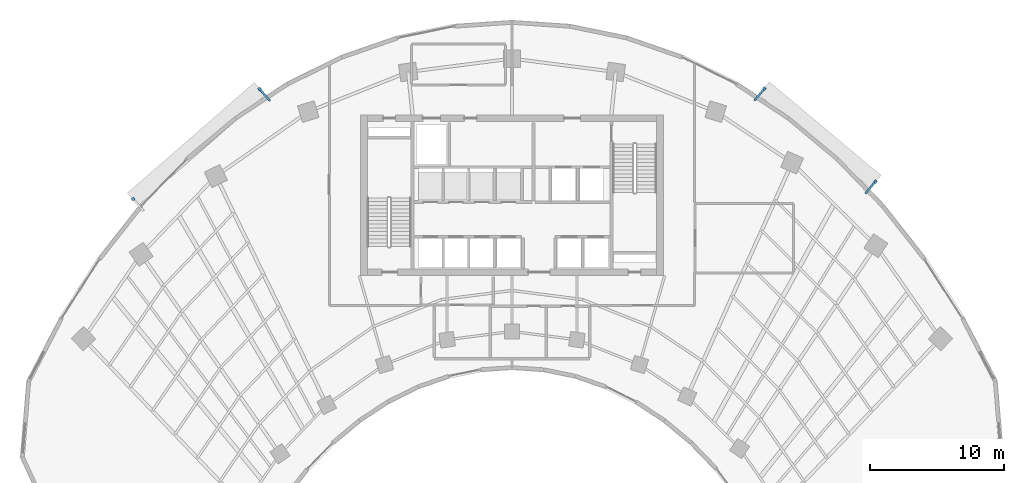
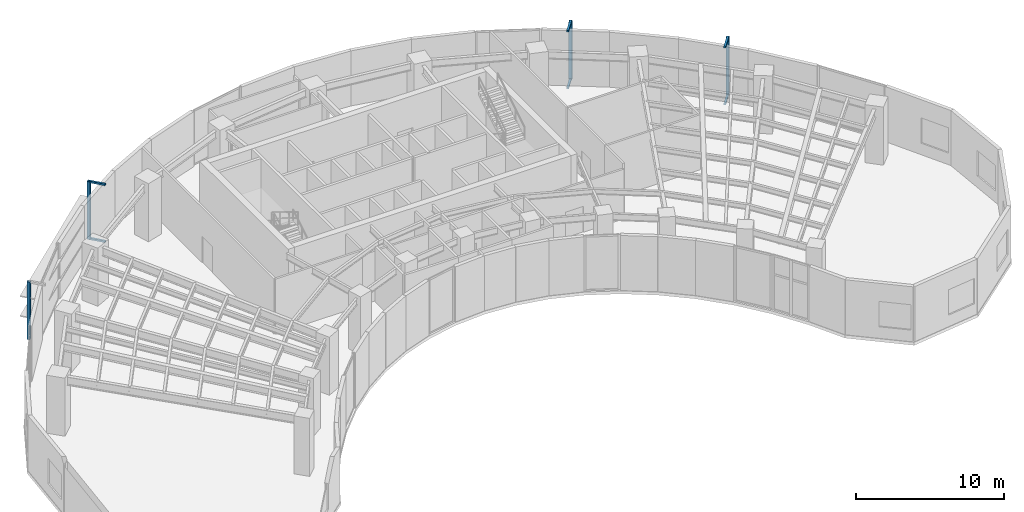
# One storey, part 12 of 15: 10 discrete accessories.
"""IFC4 building model written with IfcOpenShell, lengths in metres."""

from ifc_helpers import new_model, si_unit, direction, frame, origin, origin_2d, place, context, subcontext, project, spatial, rectangle, extrude, source, transform, mapped, material, type_object, type_shapes, element, save


model = new_model("IFC4")

# Units and contexts
model_context = context("Model", 3, precision=1e-05, world=origin(), true_north=direction((0.0, 1.0)))
body_context = subcontext(model_context, "Body", "Model", "MODEL_VIEW")
ifc_project = project(units=[si_unit("LENGTHUNIT", "METRE"), si_unit("AREAUNIT", "SQUARE_METRE"), si_unit("VOLUMEUNIT", "CUBIC_METRE"), si_unit("PLANEANGLEUNIT", "RADIAN"), si_unit("MASSUNIT", "GRAM", prefix="KILO")], contexts=[model_context])

# Site, building, storey
site_placement = place(None, origin())
site = spatial("IfcSite", under=ifc_project, at=site_placement, CompositionType="ELEMENT")
building_placement = place(site_placement, origin())
building = spatial("IfcBuilding", under=site, at=building_placement, Name="Breltana Convention Tower", CompositionType="ELEMENT")
storey_placement = place(building_placement, frame((0.0, 0.0, 91.199951171875)))
storey = spatial("IfcBuildingStorey", under=building, at=storey_placement, Name="L21", CompositionType="ELEMENT", Elevation=91.199951171875)

# Discrete accessories
ifc_material = material(Name="Steel S355", Category="steel")
discrete_accessory_type_1 = type_object("IfcDiscreteAccessoryType", Name="ACC-DSF-BRACKET-150", PredefinedType="BRACKET", material=ifc_material)
shared_shape_1 = source(origin(), body_context, "Body", "SweptSolid", [
    extrude(rectangle(XDim=1.239990234375, YDim=0.14990234375, at=origin_2d()), origin(), (0.0, 0.0, 1.0), 0.139892578125),
])
type_shapes(discrete_accessory_type_1, [shared_shape_1])
for number, where, z_axis, x_axis, name in (
    (1, (29.520751953125, 73.713623046875, -0.15966796875), (0.0, 0.0, 1.0), (-0.656454255701, 0.754365833115, 0.0), "L21 double-skin slab stand-off bracket 1.2B"),
    (2, (29.520751953125, 73.713623046875, 4.55029296875), (0.0, 0.0, 1.0), (-0.656454255701, 0.754365833115, 0.0), "L21 double-skin slab stand-off bracket 1.2T"),
    (3, (66.487060546875, 73.735595703125, -0.15966796875), (0.0, 0.0, 1.0), (0.641987488939, 0.766715112702, 0.0), "L21 double-skin slab stand-off bracket 2.1B"),
    (4, (66.487060546875, 73.735595703125, 4.55029296875), (0.0, 0.0, 1.0), (0.641987488939, 0.766715112702, 0.0), "L21 double-skin slab stand-off bracket 2.1T"),
    (5, (74.777099609375, 66.794189453125, -0.15966796875), (0.0, 0.0, 1.0), (0.641987488939, 0.766715112702, 0.0), "L21 double-skin slab stand-off bracket 2.2B"),
    (6, (74.777099609375, 66.794189453125, 4.55029296875), (0.0, 0.0, 1.0), (0.641987488939, 0.766715112702, 0.0), "L21 double-skin slab stand-off bracket 2.2T"),
):
    element("IfcDiscreteAccessory", number, at=place(storey_placement, frame(where, z_axis=z_axis, x_axis=x_axis)), inside=storey, type_object=discrete_accessory_type_1, Name=name, PredefinedType="BRACKET", context=body_context, shape_type="MappedRepresentation", body=[
        mapped(shared_shape_1, transform((0.0, 0.0, 0.0), scale=1.0)),
    ])
discrete_accessory_type_2 = type_object("IfcDiscreteAccessoryType", Name="ACC-DSF-CARRIER-150", PredefinedType="BRACKET", material=ifc_material)
shared_shape_2 = source(origin(), body_context, "Body", "SweptSolid", [
    extrude(rectangle(XDim=0.219970703125, YDim=0.219970703125, at=origin_2d()), origin(), (0.0, 0.0, 1.0), 4.77001953125),
])
for number, where, z_axis, x_axis, name in (
    (7, (19.712646484375, 65.9208984375, -0.119873046875), (0.0, 0.0, 1.0), (-0.656454255701, 0.754365833115, 0.0), "L21 double-skin outer vertical carrier 1.1"),
    (8, (29.153076171875, 74.135986328125, -0.119873046875), (0.0, 0.0, 1.0), (-0.656454255701, 0.754365833115, 0.0), "L21 double-skin outer vertical carrier 1.2"),
    (9, (66.8466796875, 74.1650390625, -0.119873046875), (0.0, 0.0, 1.0), (0.641987488939, 0.766715112702, 0.0), "L21 double-skin outer vertical carrier 2.1"),
    (10, (75.13671875, 67.2236328125, -0.119873046875), (0.0, 0.0, 1.0), (0.641987488939, 0.766715112702, 0.0), "L21 double-skin outer vertical carrier 2.2"),
):
    element("IfcDiscreteAccessory", number, at=place(storey_placement, frame(where, z_axis=z_axis, x_axis=x_axis)), inside=storey, type_object=discrete_accessory_type_2, Name=name, PredefinedType="BRACKET", context=body_context, shape_type="MappedRepresentation", body=[
        mapped(shared_shape_2, transform((0.0, 0.0, 0.0), scale=1.0)),
    ])

save(model, "model.ifc")
